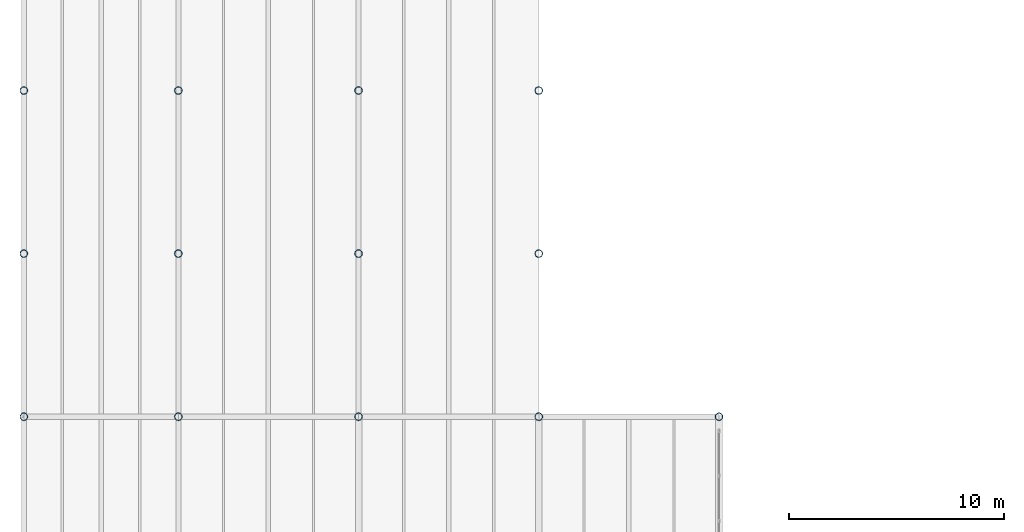
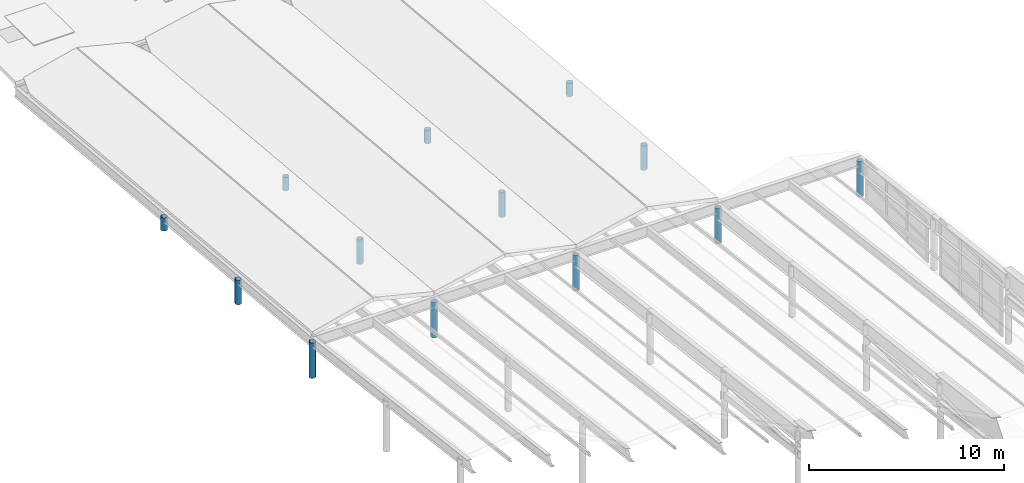
# One storey, part 2 of 14: 13 columns.
"""IFC4 building model written with IfcOpenShell, lengths in metres."""

from ifc_helpers import new_model, si_unit, direction, frame, origin, origin_2d, place, context, subcontext, project, spatial, hollow_circle, extrude, material, material_profile, profile_set, type_object, element, save


model = new_model("IFC4")

# Units and contexts
model_context = context("Model", 3, precision=1e-05, world=origin(), true_north=direction((0.0, 1.0)))
body_context = subcontext(model_context, "Body", "Model", "MODEL_VIEW")
ifc_project = project(units=[si_unit("LENGTHUNIT", "METRE"), si_unit("AREAUNIT", "SQUARE_METRE"), si_unit("VOLUMEUNIT", "CUBIC_METRE"), si_unit("PLANEANGLEUNIT", "RADIAN"), si_unit("MASSUNIT", "GRAM", prefix="KILO")], contexts=[model_context])

# Site, building, storey
site_placement = place(None, origin())
site = spatial("IfcSite", under=ifc_project, at=site_placement, CompositionType="ELEMENT")
building_placement = place(site_placement, origin())
building = spatial("IfcBuilding", under=site, at=building_placement, Name="Xicomal Pleat Aquarium", CompositionType="ELEMENT")
storey_placement = place(building_placement, frame((0.0, 0.0, 24.0)))
storey = spatial("IfcBuildingStorey", under=building, at=storey_placement, Name="RF", CompositionType="ELEMENT", Elevation=24.0)

# Columns
ifc_material = material(Name="Architectural steel ASTM A572 Gr 50", Category="steel")
ifc_material_profile = material_profile(ifc_material, hollow_circle(Radius=0.177978515625, WallThickness=0.01611328125, at=origin_2d()), Name="OC 356x16")
ifc_profile_set = profile_set([ifc_material_profile], Name="Architectural steel ASTM A572 Gr 50")
column_type = type_object("IfcColumnType", Name="COL-STL-OC356", PredefinedType="COLUMN", material=ifc_profile_set)
column_1_placement = place(storey_placement, frame((3.0, 38.0, 0.0), z_axis=(0.0, 0.0, 1.0), x_axis=(1.0, 0.0, 0.0)))
element("IfcColumn", 1, at=column_1_placement, inside=storey, type_object=column_type, Name="RF pleated canopy support post 01/F", PredefinedType="COLUMN", context=body_context, shape_type="SweptSolid", body=[
    extrude(hollow_circle(Radius=0.177978515625, WallThickness=0.01611328125, at=origin_2d()), origin(), (0.0, 0.0, 1.0), 2.219970703125),
])
column_2_placement = place(storey_placement, frame((3.0, 45.60009765625, 0.0), z_axis=(0.0, 0.0, 1.0), x_axis=(1.0, 0.0, 0.0)))
element("IfcColumn", 2, at=column_2_placement, inside=storey, type_object=column_type, Name="RF pleated canopy support post 01/G", PredefinedType="COLUMN", context=body_context, shape_type="SweptSolid", body=[
    extrude(hollow_circle(Radius=0.177978515625, WallThickness=0.01611328125, at=origin_2d()), origin(), (0.0, 0.0, 1.0), 1.52001953125),
])
column_3_placement = place(storey_placement, frame((3.0, 53.199951171875, 0.0), z_axis=(0.0, 0.0, 1.0), x_axis=(1.0, 0.0, 0.0)))
element("IfcColumn", 3, at=column_3_placement, inside=storey, type_object=column_type, Name="RF pleated canopy support post 01/H", PredefinedType="COLUMN", context=body_context, shape_type="SweptSolid", body=[
    extrude(hollow_circle(Radius=0.177978515625, WallThickness=0.01611328125, at=origin_2d()), origin(), (0.0, 0.0, 1.0), 0.820068359375),
])
column_4_placement = place(storey_placement, frame((10.199951171875, 38.0, 0.0), z_axis=(0.0, 0.0, 1.0), x_axis=(1.0, 0.0, 0.0)))
element("IfcColumn", 4, at=column_4_placement, inside=storey, type_object=column_type, Name="RF pleated canopy support post 02/F", PredefinedType="COLUMN", context=body_context, shape_type="SweptSolid", body=[
    extrude(hollow_circle(Radius=0.177978515625, WallThickness=0.01611328125, at=origin_2d()), origin(), (0.0, 0.0, 1.0), 2.219970703125),
])
column_5_placement = place(storey_placement, frame((10.199951171875, 45.60009765625, 0.0), z_axis=(0.0, 0.0, 1.0), x_axis=(1.0, 0.0, 0.0)))
element("IfcColumn", 5, at=column_5_placement, inside=storey, type_object=column_type, Name="RF pleated canopy support post 02/G", PredefinedType="COLUMN", context=body_context, shape_type="SweptSolid", body=[
    extrude(hollow_circle(Radius=0.177978515625, WallThickness=0.01611328125, at=origin_2d()), origin(), (0.0, 0.0, 1.0), 1.52001953125),
])
column_6_placement = place(storey_placement, frame((10.199951171875, 53.199951171875, 0.0), z_axis=(0.0, 0.0, 1.0), x_axis=(1.0, 0.0, 0.0)))
element("IfcColumn", 6, at=column_6_placement, inside=storey, type_object=column_type, Name="RF pleated canopy support post 02/H", PredefinedType="COLUMN", context=body_context, shape_type="SweptSolid", body=[
    extrude(hollow_circle(Radius=0.177978515625, WallThickness=0.01611328125, at=origin_2d()), origin(), (0.0, 0.0, 1.0), 0.820068359375),
])
column_7_placement = place(storey_placement, frame((18.60009765625, 38.0, 0.0), z_axis=(0.0, 0.0, 1.0), x_axis=(1.0, 0.0, 0.0)))
element("IfcColumn", 7, at=column_7_placement, inside=storey, type_object=column_type, Name="RF pleated canopy support post 03/F", PredefinedType="COLUMN", context=body_context, shape_type="SweptSolid", body=[
    extrude(hollow_circle(Radius=0.177978515625, WallThickness=0.01611328125, at=origin_2d()), origin(), (0.0, 0.0, 1.0), 2.219970703125),
])
column_8_placement = place(storey_placement, frame((18.60009765625, 45.60009765625, 0.0), z_axis=(0.0, 0.0, 1.0), x_axis=(1.0, 0.0, 0.0)))
element("IfcColumn", 8, at=column_8_placement, inside=storey, type_object=column_type, Name="RF pleated canopy support post 03/G", PredefinedType="COLUMN", context=body_context, shape_type="SweptSolid", body=[
    extrude(hollow_circle(Radius=0.177978515625, WallThickness=0.01611328125, at=origin_2d()), origin(), (0.0, 0.0, 1.0), 1.52001953125),
])
column_9_placement = place(storey_placement, frame((18.60009765625, 53.199951171875, 0.0), z_axis=(0.0, 0.0, 1.0), x_axis=(1.0, 0.0, 0.0)))
element("IfcColumn", 9, at=column_9_placement, inside=storey, type_object=column_type, Name="RF pleated canopy support post 03/H", PredefinedType="COLUMN", context=body_context, shape_type="SweptSolid", body=[
    extrude(hollow_circle(Radius=0.177978515625, WallThickness=0.01611328125, at=origin_2d()), origin(), (0.0, 0.0, 1.0), 0.820068359375),
])
column_10_placement = place(storey_placement, frame((27.0, 38.0, 0.0), z_axis=(0.0, 0.0, 1.0), x_axis=(1.0, 0.0, 0.0)))
element("IfcColumn", 10, at=column_10_placement, inside=storey, type_object=column_type, Name="RF pleated canopy support post 04/F", PredefinedType="COLUMN", context=body_context, shape_type="SweptSolid", body=[
    extrude(hollow_circle(Radius=0.177978515625, WallThickness=0.01611328125, at=origin_2d()), origin(), (0.0, 0.0, 1.0), 2.219970703125),
])
column_11_placement = place(storey_placement, frame((27.0, 45.60009765625, 0.0), z_axis=(0.0, 0.0, 1.0), x_axis=(1.0, 0.0, 0.0)))
element("IfcColumn", 11, at=column_11_placement, inside=storey, type_object=column_type, Name="RF pleated canopy support post 04/G", PredefinedType="COLUMN", context=body_context, shape_type="SweptSolid", body=[
    extrude(hollow_circle(Radius=0.177978515625, WallThickness=0.01611328125, at=origin_2d()), origin(), (0.0, 0.0, 1.0), 1.52001953125),
])
column_12_placement = place(storey_placement, frame((27.0, 53.199951171875, 0.0), z_axis=(0.0, 0.0, 1.0), x_axis=(1.0, 0.0, 0.0)))
element("IfcColumn", 12, at=column_12_placement, inside=storey, type_object=column_type, Name="RF pleated canopy support post 04/H", PredefinedType="COLUMN", context=body_context, shape_type="SweptSolid", body=[
    extrude(hollow_circle(Radius=0.177978515625, WallThickness=0.01611328125, at=origin_2d()), origin(), (0.0, 0.0, 1.0), 0.820068359375),
])
column_13_placement = place(storey_placement, frame((35.39990234375, 38.0, 0.0), z_axis=(0.0, 0.0, 1.0), x_axis=(1.0, 0.0, 0.0)))
element("IfcColumn", 13, at=column_13_placement, inside=storey, type_object=column_type, Name="RF pleated canopy support post 05/F", PredefinedType="COLUMN", context=body_context, shape_type="SweptSolid", body=[
    extrude(hollow_circle(Radius=0.177978515625, WallThickness=0.01611328125, at=origin_2d()), origin(), (0.0, 0.0, 1.0), 2.219970703125),
])

save(model, "model.ifc")
